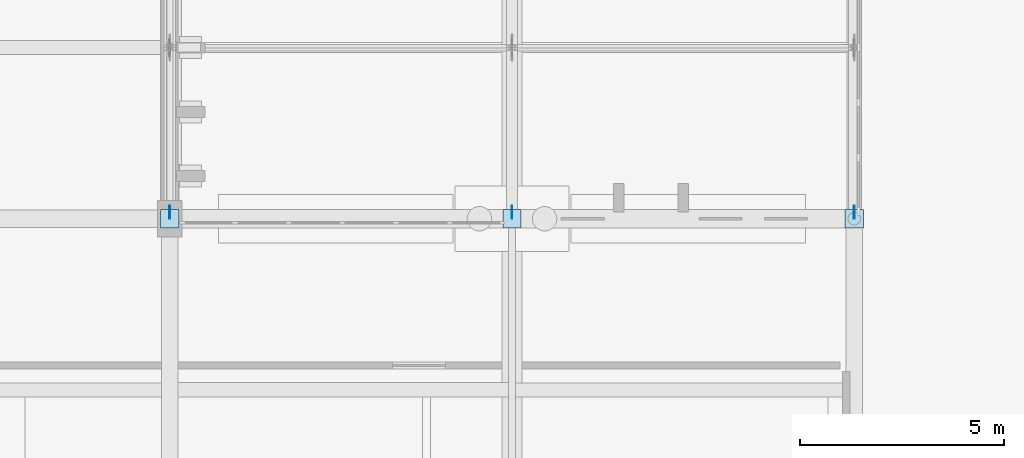
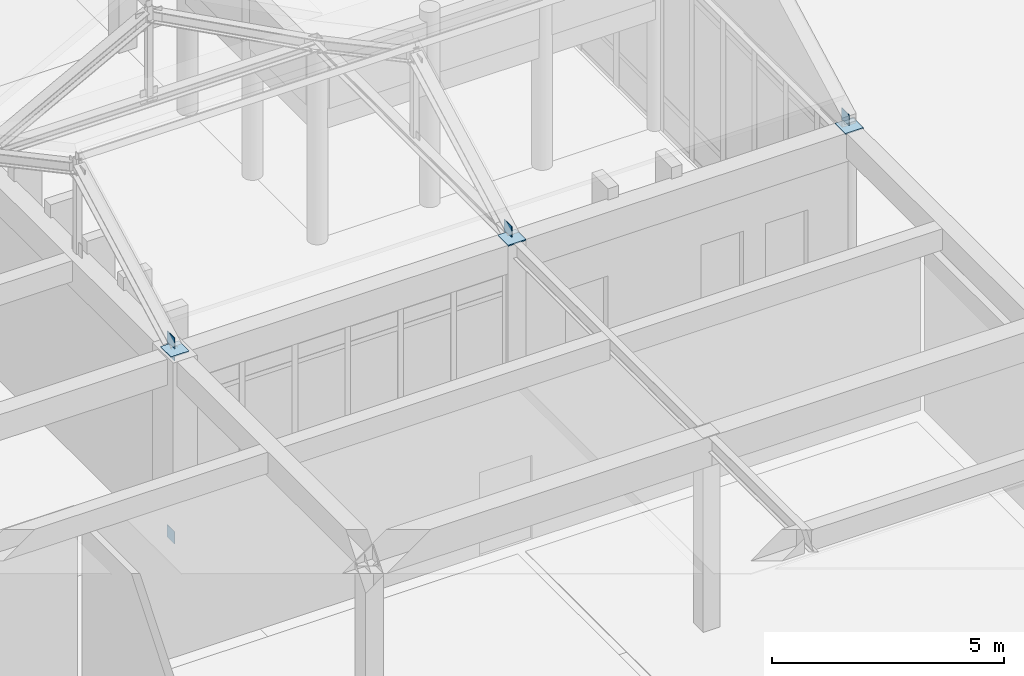
# One storey, part 82 of 143: 8 plates.
"""IFC4 building model written with IfcOpenShell, lengths in metres."""

from ifc_helpers import new_model, si_unit, direction, frame, origin, origin_2d, place, context, subcontext, project, spatial, rectangle, extrude, material, layer, layer_set, type_object, element, save


model = new_model("IFC4")

# Units and contexts
model_context = context("Model", 3, precision=1e-05, world=origin(), true_north=direction((0.0, 1.0)))
body_context = subcontext(model_context, "Body", "Model", "MODEL_VIEW")
ifc_project = project(units=[si_unit("LENGTHUNIT", "METRE"), si_unit("AREAUNIT", "SQUARE_METRE"), si_unit("VOLUMEUNIT", "CUBIC_METRE"), si_unit("PLANEANGLEUNIT", "RADIAN"), si_unit("MASSUNIT", "GRAM", prefix="KILO")], contexts=[model_context])

# Site, building, storey
site_placement = place(None, origin())
site = spatial("IfcSite", under=ifc_project, at=site_placement, CompositionType="ELEMENT")
building_placement = place(site_placement, origin())
building = spatial("IfcBuilding", under=site, at=building_placement, Name="Kveldsbrygga Polytechnic", CompositionType="ELEMENT")
storey_placement = place(building_placement, origin())
storey = spatial("IfcBuildingStorey", under=building, at=storey_placement, Name="L00", CompositionType="ELEMENT", Elevation=0.0)

# Plates
ifc_material = material(Name="Steel S355", Category="steel")
ifc_layer_1 = layer(ifc_material, 0.030029296875)
ifc_layer_set_1 = layer_set([ifc_layer_1], Name="Steel S355")
plate_type_1 = type_object("IfcPlateType", Name="CAP-BEAR-450", PredefinedType="SHEET", material=ifc_layer_set_1)
for number, where, z_axis, x_axis, name in (
    (1, (33.60009765625, 25.199951171875, 5.10986328125), (0.0, 0.0, 1.0), (1.0, 0.0, 0.0), "Truss Bearing Plate ARC-WS-T01-A"),
    (2, (42.0, 25.199951171875, 5.10986328125), (0.0, 0.0, 1.0), (1.0, 0.0, 0.0), "Truss Bearing Plate ARC-WS-T02-A"),
    (3, (50.39990234375, 25.199951171875, 5.10986328125), (0.0, 0.0, 1.0), (1.0, 0.0, 0.0), "Truss Bearing Plate ARC-WS-T03-A"),
):
    element("IfcPlate", number, at=place(storey_placement, frame(where, z_axis=z_axis, x_axis=x_axis)), inside=storey, type_object=plate_type_1, Name=name, PredefinedType="SHEET", context=body_context, shape_type="SweptSolid", body=[
        extrude(rectangle(XDim=0.449951171875, YDim=0.449951171875, at=origin_2d()), origin(), (0.0, 0.0, 1.0), 0.030029296875),
    ])
ifc_layer_2 = layer(ifc_material, 0.01806640625)
ifc_layer_set_2 = layer_set([ifc_layer_2], Name="Steel S355")
plate_type_2 = type_object("IfcPlateType", Name="GUS-BRACE-320", PredefinedType="SHEET", material=ifc_layer_set_2)
for number, where, z_axis, x_axis, name in (
    (4, (33.60009765625, 25.360107421875, 5.10009765625), (0.0, 0.0, 1.0), (1.0, 0.0, 0.0), "Truss Eaves Node Gusset ARC-WS-T01-EGP-A"),
    (5, (42.0, 25.360107421875, 5.10009765625), (0.0, 0.0, 1.0), (1.0, 0.0, 0.0), "Truss Eaves Node Gusset ARC-WS-T02-EGP-A"),
    (6, (50.39990234375, 25.360107421875, 5.10009765625), (0.0, 0.0, 1.0), (1.0, 0.0, 0.0), "Truss Eaves Node Gusset ARC-WS-T03-EGP-A"),
    (7, (33.60009765625, 25.360107421875, 0.0), (0.0, 0.0, 1.0), (1.0, 0.0, 0.0), "Portal Brace End Gusset XGP-VBR-L00-E-3-1"),
    (8, (33.60009765625, 25.360107421875, 4.81982421875), (0.0, 0.0, 1.0), (1.0, 0.0, 0.0), "Portal Brace End Gusset XGP-VBR-L00-E-3-4"),
):
    element("IfcPlate", number, at=place(storey_placement, frame(where, z_axis=z_axis, x_axis=x_axis)), inside=storey, type_object=plate_type_2, Name=name, PredefinedType="SHEET", context=body_context, shape_type="SweptSolid", body=[
        extrude(rectangle(XDim=0.01806640625, YDim=0.320068359375, at=origin_2d()), origin(), (0.0, 0.0, 1.0), 0.320068359375),
    ])

save(model, "model.ifc")
